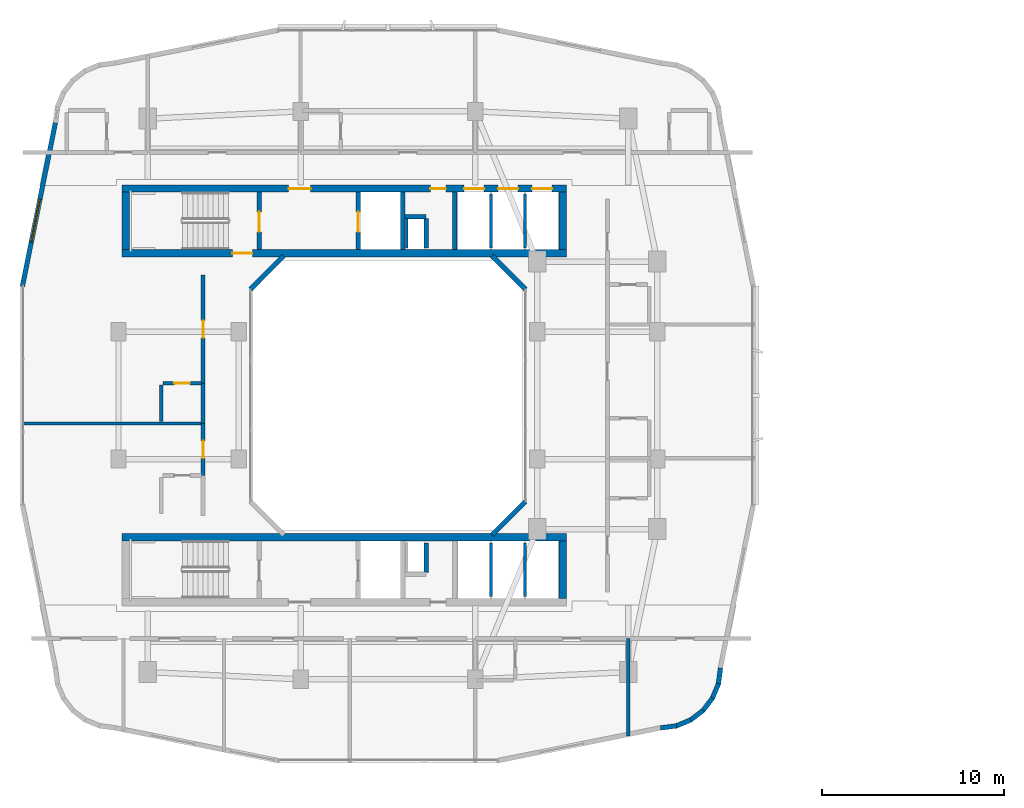
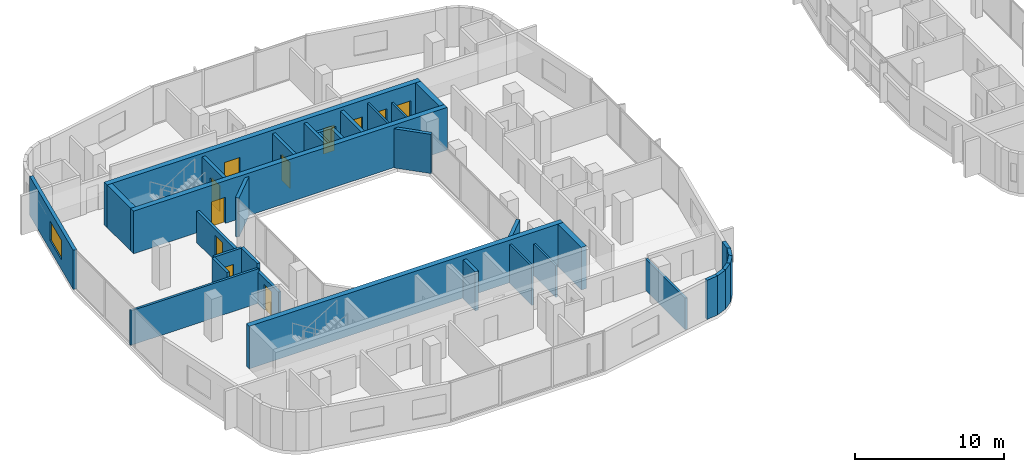
# One storey, part 13 of 26: 35 walls, 11 doors, 1 window, 12 openings.
"""IFC4 building model written with IfcOpenShell, lengths in metres."""

from ifc_helpers import new_model, si_unit, derived_unit, direction, frame, frame_2d, origin, place, context, subcontext, project, spatial, rectangle, extrude, material, layer, layer_set, type_object, element, fill, save


model = new_model("IFC4")

# Units and contexts
model_context = context("Model", 3, precision=1e-05, world=origin(), true_north=direction((0.0, 1.0)))
body_context = subcontext(model_context, "Body", "Model", "MODEL_VIEW")
ifc_project = project(units=[si_unit("LENGTHUNIT", "METRE"), si_unit("AREAUNIT", "SQUARE_METRE"), si_unit("VOLUMEUNIT", "CUBIC_METRE"), si_unit("PLANEANGLEUNIT", "RADIAN"), si_unit("MASSUNIT", "GRAM", prefix="KILO"), derived_unit("THERMALTRANSMITTANCEUNIT", [(si_unit("POWERUNIT", "WATT"), 1), (si_unit("LENGTHUNIT", "METRE"), -2), (si_unit("THERMODYNAMICTEMPERATUREUNIT", "KELVIN"), -1)])], contexts=[model_context])

# Site, building, storey
site_placement = place(None, origin())
site = spatial("IfcSite", under=ifc_project, at=site_placement, CompositionType="ELEMENT")
building_placement = place(site_placement, origin())
building = spatial("IfcBuilding", under=site, at=building_placement, Name="Kivonza Crest Hotel", CompositionType="ELEMENT")
storey_placement = place(building_placement, frame((0.0, 0.0, 109.0)))
storey = spatial("IfcBuildingStorey", under=building, at=storey_placement, Name="L29", CompositionType="ELEMENT", Elevation=109.0)

# Walls
ifc_material_1 = material(Name="High-density acoustic masonry inter-tenancy wall", Category="masonry")
ifc_layer_1 = layer(ifc_material_1, 0.179931640625)
ifc_layer_set_1 = layer_set([ifc_layer_1], Name="High-density acoustic masonry inter-tenancy wall")
wall_type_1 = type_object("IfcWallType", Name="WL-ACOU-180", PredefinedType="SOLIDWALL", material=ifc_layer_set_1)
wall_1_placement = place(storey_placement, frame((34.199951171875, 6.299072265625, 0.0), z_axis=(0.0, 0.0, 1.0), x_axis=(0.0, 1.0, 0.0)))
element("IfcWall", 1, at=wall_1_placement, inside=storey, type_object=wall_type_1, Name="L29 interior partition WA-L29-T1S-DIV3", PredefinedType="SOLIDWALL", context=body_context, shape_type="SweptSolid", body=[
    extrude(rectangle(XDim=5.350830078125, YDim=0.179931640625, at=frame_2d((2.67529296875, 0.0))), origin(), (0.0, 0.0, 1.0), 2.594970703125),
])
wall_2_placement = place(storey_placement, frame((0.860107421875, 23.4599609375, 0.0), z_axis=(0.0, 0.0, 1.0), x_axis=(1.0, 0.0, 0.0)))
element("IfcWall", 2, at=wall_2_placement, inside=storey, type_object=wall_type_1, Name="L29 interior partition WA-L29-T1W-DIV1", PredefinedType="SOLIDWALL", context=body_context, shape_type="SweptSolid", body=[
    extrude(rectangle(XDim=9.989990234375, YDim=0.179931640625, at=frame_2d((4.9951171875, 0.0))), origin(), (0.0, 0.0, 1.0), 2.8349609375),
])

# Wall, opening, door
ifc_material_2 = material(Name="Autoclaved aerated concrete blockwork", Category="masonry")
ifc_layer_2 = layer(ifc_material_2, 0.219970703125)
ifc_layer_set_2 = layer_set([ifc_layer_2], Name="Autoclaved aerated concrete blockwork")
wall_type_2 = type_object("IfcWallType", Name="WL-ACOU-220", PredefinedType="SOLIDWALL", material=ifc_layer_set_2)
wall_3_placement = place(storey_placement, frame((10.85009765625, 20.60009765625, 0.0), z_axis=(0.0, 0.0, 1.0), x_axis=(0.0, 1.0, 0.0)))
wall_3 = element("IfcWall", 3, at=wall_3_placement, inside=storey, type_object=wall_type_2, Name="L29 interior partition WA-L29-W05-MCORR", PredefinedType="SOLIDWALL", context=body_context, shape_type="SweptSolid", body=[
    extrude(rectangle(XDim=2.85986328125, YDim=0.219970703125, at=frame_2d((1.429931640625, 0.0))), origin(), (0.0, 0.0, 1.0), 2.594970703125),
])
opening_1_placement = place(wall_3_placement, frame((0.955078125, 0.0, 0.0)))
opening_1 = element("IfcOpeningElement", 4, at=opening_1_placement, cuts=wall_3, Name="Opening DU-60", PredefinedType="OPENING", context=body_context, shape_type="SweptSolid", body=[
    extrude(rectangle(XDim=0.949951171875, YDim=2.10009765625, at=frame_2d((0.47509765625, 1.050048828125))), frame((0.0, 0.1201171875, 0.0), z_axis=(0.0, -1.0, 0.0), x_axis=(1.0, 0.0, 0.0)), (0.0, 0.0, 1.0), 0.239990234375),
])
ifc_material_3 = material(Name="Hardwood timber oak", Category="wood")
door_type_1 = type_object("IfcDoorType", Name="DR-UNIT-950", OperationType="NOTDEFINED", PredefinedType="DOOR", material=ifc_material_3)
door_1_placement = place(opening_1_placement, origin())
door_1 = element("IfcDoor", 5, at=door_1_placement, inside=storey, type_object=door_type_1, Name="L29 W05 guest unit entrance fire door", OperationType="SINGLE_SWING_LEFT", OverallHeight=2.10009765625, OverallWidth=0.949951171875, PredefinedType="DOOR", context=body_context, shape_type="SweptSolid", body=[
    extrude(rectangle(XDim=0.949951171875, YDim=2.10009765625, at=frame_2d((0.47509765625, 1.050048828125))), frame((0.0, 0.02490234375, 0.0), z_axis=(0.0, -1.0, 0.0), x_axis=(1.0, 0.0, 0.0)), (0.0, 0.0, 1.0), 0.050048828125),
])
fill(opening_1, door_1)

# Wall
wall_4_placement = place(storey_placement, frame((10.85009765625, 23.4599609375, 0.0), z_axis=(0.0, 0.0, 1.0), x_axis=(0.0, 1.0, 0.0)))
element("IfcWall", 6, at=wall_4_placement, inside=storey, type_object=wall_type_2, Name="L29 interior partition WA-L29-W06-BCORR", PredefinedType="SOLIDWALL", context=body_context, shape_type="SweptSolid", body=[
    extrude(rectangle(XDim=2.199951171875, YDim=0.219970703125, at=frame_2d((1.10009765625, 0.0))), origin(), (0.0, 0.0, 1.0), 3.219970703125),
])

# Wall, opening, door
wall_5_placement = place(storey_placement, frame((10.85009765625, 25.659912109375, 0.0), z_axis=(0.0, 0.0, 1.0), x_axis=(0.0, 1.0, 0.0)))
wall_5 = element("IfcWall", 7, at=wall_5_placement, inside=storey, type_object=wall_type_2, Name="L29 interior partition WA-L29-W06-MCORR", PredefinedType="SOLIDWALL", context=body_context, shape_type="SweptSolid", body=[
    extrude(rectangle(XDim=5.940185546875, YDim=0.219970703125, at=frame_2d((2.97021484375, 0.0))), origin(), (0.0, 0.0, 1.0), 2.594970703125),
])
opening_2_placement = place(wall_5_placement, frame((2.4951171875, 0.0, 0.0)))
opening_2 = element("IfcOpeningElement", 8, at=opening_2_placement, cuts=wall_5, Name="Opening DU-60", PredefinedType="OPENING", context=body_context, shape_type="SweptSolid", body=[
    extrude(rectangle(XDim=0.949951171875, YDim=2.10009765625, at=frame_2d((0.47509765625, 1.050048828125))), frame((0.0, 0.1201171875, 0.0), z_axis=(0.0, -1.0, 0.0), x_axis=(1.0, 0.0, 0.0)), (0.0, 0.0, 1.0), 0.239990234375),
])
door_2_placement = place(opening_2_placement, origin())
door_2 = element("IfcDoor", 9, at=door_2_placement, inside=storey, type_object=door_type_1, Name="L29 W06 guest unit entrance fire door", OperationType="SINGLE_SWING_RIGHT", OverallHeight=2.10009765625, OverallWidth=0.949951171875, PredefinedType="DOOR", context=body_context, shape_type="SweptSolid", body=[
    extrude(rectangle(XDim=0.949951171875, YDim=2.10009765625, at=frame_2d((0.47509765625, 1.050048828125))), frame((0.0, 0.02490234375, 0.0), z_axis=(0.0, -1.0, 0.0), x_axis=(1.0, 0.0, 0.0)), (0.0, 0.0, 1.0), 0.050048828125),
])
fill(opening_2, door_2)

ifc_material_4 = material(Name="Concrete C50/60", Category="concrete")
ifc_layer_3 = layer(ifc_material_4, 0.39990234375)
ifc_layer_set_3 = layer_set([ifc_layer_3], Name="Concrete C50/60")
wall_type_3 = type_object("IfcWallType", Name="WL-CORE-400", PredefinedType="SHEAR", material=ifc_layer_set_3)
wall_6_placement = place(storey_placement, frame((6.39990234375, 32.800048828125, 0.0), z_axis=(0.0, 0.0, 1.0), x_axis=(1.0, 0.0, 0.0)))
wall_6 = element("IfcWall", 10, at=wall_6_placement, inside=storey, type_object=wall_type_3, Name="Core wall T1-N South L29", PredefinedType="SHEAR", context=body_context, shape_type="SweptSolid", body=[
    extrude(rectangle(XDim=24.400146484375, YDim=0.39990234375, at=frame_2d((12.2001953125, 0.0))), origin(), (0.0, 0.0, 1.0), 3.5),
])
opening_3_placement = place(wall_6_placement, frame((6.050048828125, 0.0, 0.0)))
opening_3 = element("IfcOpeningElement", 11, at=opening_3_placement, cuts=wall_6, Name="Opening DF-120", PredefinedType="OPENING", context=body_context, shape_type="SweptSolid", body=[
    extrude(rectangle(XDim=1.10009765625, YDim=2.14990234375, at=frame_2d((0.550048828125, 1.074951171875))), frame((0.0, 0.2099609375, 0.0), z_axis=(0.0, -1.0, 0.0), x_axis=(1.0, 0.0, 0.0)), (0.0, 0.0, 1.0), 0.419921875),
])
ifc_material_5 = material(Name="Galvanised steel", Category="steel")
door_type_2 = type_object("IfcDoorType", Name="DR-FD120-1100", OperationType="NOTDEFINED", PredefinedType="DOOR", material=ifc_material_5)
door_3_placement = place(opening_3_placement, origin())
door_3 = element("IfcDoor", 12, at=door_3_placement, inside=storey, type_object=door_type_2, Name="L29 West corridor stair access fire door", OperationType="SINGLE_SWING_LEFT", OverallHeight=2.14990234375, OverallWidth=1.10009765625, PredefinedType="DOOR", context=body_context, shape_type="SweptSolid", body=[
    extrude(rectangle(XDim=1.10009765625, YDim=2.14990234375, at=frame_2d((0.550048828125, 1.074951171875))), frame((0.0, 0.02490234375, 0.0), z_axis=(0.0, -1.0, 0.0), x_axis=(1.0, 0.0, 0.0)), (0.0, 0.0, 1.0), 0.050048828125),
])
fill(opening_3, door_3)

# Wall, openings, doors
wall_7_placement = place(storey_placement, frame((6.39990234375, 36.360107421875, 0.0), z_axis=(0.0, 0.0, 1.0), x_axis=(1.0, 0.0, 0.0)))
wall_7 = element("IfcWall", 13, at=wall_7_placement, inside=storey, type_object=wall_type_3, Name="Core wall T1-N North L29", PredefinedType="SHEAR", context=body_context, shape_type="SweptSolid", body=[
    extrude(rectangle(XDim=24.400146484375, YDim=0.39990234375, at=frame_2d((12.2001953125, 0.0))), origin(), (0.0, 0.0, 1.0), 3.5),
])
opening_4_placement = place(wall_7_placement, frame((9.14990234375, 0.0, 0.0)))
opening_4 = element("IfcOpeningElement", 14, at=opening_4_placement, cuts=wall_7, Name="Opening DF-60", PredefinedType="OPENING", context=body_context, shape_type="SweptSolid", body=[
    extrude(rectangle(XDim=1.199951171875, YDim=2.14990234375, at=frame_2d((0.60009765625, 1.074951171875))), frame((0.0, 0.2099609375, 0.0), z_axis=(0.0, -1.0, 0.0), x_axis=(1.0, 0.0, 0.0)), (0.0, 0.0, 1.0), 0.419921875),
])
opening_5_placement = place(wall_7_placement, frame((16.93994140625, 0.0, 0.0)))
opening_5 = element("IfcOpeningElement", 15, at=opening_5_placement, cuts=wall_7, Name="Opening DF-60R", PredefinedType="OPENING", context=body_context, shape_type="SweptSolid", body=[
    extrude(rectangle(XDim=0.85009765625, YDim=2.10009765625, at=frame_2d((0.425048828125, 1.050048828125))), frame((0.0, 0.2099609375, 0.0), z_axis=(0.0, -1.0, 0.0), x_axis=(1.0, 0.0, 0.0)), (0.0, 0.0, 1.0), 0.419921875),
])
opening_6_placement = place(wall_7_placement, frame((18.782958984375, 0.0, 0.0)))
opening_6 = element("IfcOpeningElement", 16, at=opening_6_placement, cuts=wall_7, Name="Opening LD-120", PredefinedType="OPENING", context=body_context, shape_type="SweptSolid", body=[
    extrude(rectangle(XDim=1.10009765625, YDim=2.14990234375, at=frame_2d((0.550048828125, 1.074951171875))), frame((0.0, 0.2099609375, 0.0), z_axis=(0.0, -1.0, 0.0), x_axis=(1.0, 0.0, 0.0)), (0.0, 0.0, 1.0), 0.419921875),
])
opening_7_placement = place(wall_7_placement, frame((20.64990234375, 0.0, 0.0)))
opening_7 = element("IfcOpeningElement", 17, at=opening_7_placement, cuts=wall_7, Name="Opening LD-120", PredefinedType="OPENING", context=body_context, shape_type="SweptSolid", body=[
    extrude(rectangle(XDim=1.10009765625, YDim=2.14990234375, at=frame_2d((0.550048828125, 1.074951171875))), frame((0.0, 0.2099609375, 0.0), z_axis=(0.0, -1.0, 0.0), x_axis=(1.0, 0.0, 0.0)), (0.0, 0.0, 1.0), 0.419921875),
])
opening_8_placement = place(wall_7_placement, frame((22.51708984375, 0.0, 0.0)))
opening_8 = element("IfcOpeningElement", 18, at=opening_8_placement, cuts=wall_7, Name="Opening LD-120", PredefinedType="OPENING", context=body_context, shape_type="SweptSolid", body=[
    extrude(rectangle(XDim=1.10009765625, YDim=2.14990234375, at=frame_2d((0.550048828125, 1.074951171875))), frame((0.0, 0.2099609375, 0.0), z_axis=(0.0, -1.0, 0.0), x_axis=(1.0, 0.0, 0.0)), (0.0, 0.0, 1.0), 0.419921875),
])
door_type_3 = type_object("IfcDoorType", Name="DR-FD60-1200", OperationType="NOTDEFINED", PredefinedType="DOOR", material=ifc_material_3)
door_4_placement = place(opening_4_placement, origin())
door_4 = element("IfcDoor", 19, at=door_4_placement, inside=storey, type_object=door_type_3, Name="L29 T1-N firefighting lobby fire door", OperationType="SINGLE_SWING_RIGHT", OverallHeight=2.14990234375, OverallWidth=1.199951171875, PredefinedType="DOOR", context=body_context, shape_type="SweptSolid", body=[
    extrude(rectangle(XDim=1.199951171875, YDim=2.14990234375, at=frame_2d((0.60009765625, 1.074951171875))), frame((0.0, 0.02490234375, 0.0), z_axis=(0.0, -1.0, 0.0), x_axis=(1.0, 0.0, 0.0)), (0.0, 0.0, 1.0), 0.050048828125),
])
fill(opening_4, door_4)
door_type_4 = type_object("IfcDoorType", Name="DR-FD60-850", OperationType="NOTDEFINED", PredefinedType="DOOR", material=ifc_material_3)
door_5_placement = place(opening_5_placement, origin())
door_5 = element("IfcDoor", 20, at=door_5_placement, inside=storey, type_object=door_type_4, Name="L29 T1-N core room door", OperationType="SINGLE_SWING_RIGHT", OverallHeight=2.10009765625, OverallWidth=0.85009765625, PredefinedType="DOOR", context=body_context, shape_type="SweptSolid", body=[
    extrude(rectangle(XDim=0.85009765625, YDim=2.10009765625, at=frame_2d((0.425048828125, 1.050048828125))), frame((0.0, 0.02490234375, 0.0), z_axis=(0.0, -1.0, 0.0), x_axis=(1.0, 0.0, 0.0)), (0.0, 0.0, 1.0), 0.050048828125),
])
fill(opening_5, door_5)
ifc_material_6 = material(Name="Stainless steel", Category="steel")
door_type_5 = type_object("IfcDoorType", Name="DR-LD120-1100", OperationType="NOTDEFINED", PredefinedType="DOOR", material=ifc_material_6)
door_6_placement = place(opening_6_placement, origin())
door_6 = element("IfcDoor", 21, at=door_6_placement, inside=storey, type_object=door_type_5, Name="L29 PL-T1-L1 passenger lift sliding landing door", OperationType="DOUBLE_DOOR_SLIDING", OverallHeight=2.14990234375, OverallWidth=1.10009765625, PredefinedType="DOOR", context=body_context, shape_type="SweptSolid", body=[
    extrude(rectangle(XDim=1.10009765625, YDim=2.14990234375, at=frame_2d((0.550048828125, 1.074951171875))), frame((0.0, 0.02490234375, 0.0), z_axis=(0.0, -1.0, 0.0), x_axis=(1.0, 0.0, 0.0)), (0.0, 0.0, 1.0), 0.050048828125),
])
fill(opening_6, door_6)
door_7_placement = place(opening_7_placement, origin())
door_7 = element("IfcDoor", 22, at=door_7_placement, inside=storey, type_object=door_type_5, Name="L29 PL-T1-L2 passenger lift sliding landing door", OperationType="DOUBLE_DOOR_SLIDING", OverallHeight=2.14990234375, OverallWidth=1.10009765625, PredefinedType="DOOR", context=body_context, shape_type="SweptSolid", body=[
    extrude(rectangle(XDim=1.10009765625, YDim=2.14990234375, at=frame_2d((0.550048828125, 1.074951171875))), frame((0.0, 0.02490234375, 0.0), z_axis=(0.0, -1.0, 0.0), x_axis=(1.0, 0.0, 0.0)), (0.0, 0.0, 1.0), 0.050048828125),
])
fill(opening_7, door_7)
door_8_placement = place(opening_8_placement, origin())
door_8 = element("IfcDoor", 23, at=door_8_placement, inside=storey, type_object=door_type_5, Name="L29 PL-T1-L3 passenger lift sliding landing door", OperationType="DOUBLE_DOOR_SLIDING", OverallHeight=2.14990234375, OverallWidth=1.10009765625, PredefinedType="DOOR", context=body_context, shape_type="SweptSolid", body=[
    extrude(rectangle(XDim=1.10009765625, YDim=2.14990234375, at=frame_2d((0.550048828125, 1.074951171875))), frame((0.0, 0.02490234375, 0.0), z_axis=(0.0, -1.0, 0.0), x_axis=(1.0, 0.0, 0.0)), (0.0, 0.0, 1.0), 0.050048828125),
])
fill(opening_8, door_8)

# Walls
for number, where, z_axis, x_axis, name in (
    (24, (6.60009765625, 33.0, 0.0), (0.0, 0.0, 1.0), (0.0, 1.0, 0.0), "Core wall T1-N West L29"),
    (25, (30.60009765625, 33.0, 0.0), (0.0, 0.0, 1.0), (0.0, 1.0, 0.0), "Core wall T1-N East L29"),
):
    element("IfcWall", number, at=place(storey_placement, frame(where, z_axis=z_axis, x_axis=x_axis)), inside=storey, type_object=wall_type_3, Name=name, PredefinedType="SHEAR", context=body_context, shape_type="SweptSolid", body=[
        extrude(rectangle(XDim=3.159912109375, YDim=0.39990234375, at=frame_2d((1.580078125, 0.0))), origin(), (0.0, 0.0, 1.0), 3.5),
    ])
wall_8_placement = place(storey_placement, frame((6.39990234375, 17.199951171875, 0.0), z_axis=(0.0, 0.0, 1.0), x_axis=(1.0, 0.0, 0.0)))
element("IfcWall", 26, at=wall_8_placement, inside=storey, type_object=wall_type_3, Name="Core wall T1-S North L29", PredefinedType="SHEAR", context=body_context, shape_type="SweptSolid", body=[
    extrude(rectangle(XDim=24.400146484375, YDim=0.39990234375, at=frame_2d((12.2001953125, 0.0))), origin(), (0.0, 0.0, 1.0), 3.5),
])
wall_9_placement = place(storey_placement, frame((30.60009765625, 13.840087890625, 0.0), z_axis=(0.0, 0.0, 1.0), x_axis=(0.0, 1.0, 0.0)))
element("IfcWall", 27, at=wall_9_placement, inside=storey, type_object=wall_type_3, Name="Core wall T1-S East L29", PredefinedType="SHEAR", context=body_context, shape_type="SweptSolid", body=[
    extrude(rectangle(XDim=3.159912109375, YDim=0.39990234375, at=frame_2d((1.580078125, 0.0))), origin(), (0.0, 0.0, 1.0), 3.5),
])
ifc_material_7 = material(Name="Precast concrete C40/50", Category="concrete")
ifc_layer_4 = layer(ifc_material_7, 0.260009765625)
ifc_layer_set_4 = layer_set([ifc_layer_4], Name="Precast concrete C40/50")
wall_type_4 = type_object("IfcWallType", Name="WL-EXT-260", PredefinedType="STANDARD", material=ifc_layer_set_4)
wall_10_placement = place(storey_placement, frame((35.97509765625, 6.72802734375, 0.0), z_axis=(0.0, 0.0, 1.0), x_axis=(0.991388484223, 0.130953706898, 0.0)))
element("IfcWall", 28, at=wall_10_placement, inside=storey, type_object=wall_type_4, Name="L29 T1 exterior insulated wall 10", PredefinedType="STANDARD", context=body_context, shape_type="SweptSolid", body=[
    extrude(rectangle(XDim=0.885498046875, YDim=0.260009765625, at=frame_2d((0.44287109375, 0.0))), origin(), (0.0, 0.0, 1.0), 3.219970703125),
])
wall_11_placement = place(storey_placement, frame((36.806884765625, 6.825927734375, 0.0), z_axis=(0.0, 0.0, 1.0), x_axis=(0.923627776508, 0.383290660547, 0.0)))
element("IfcWall", 29, at=wall_11_placement, inside=storey, type_object=wall_type_4, Name="L29 T1 exterior insulated wall 11", PredefinedType="STANDARD", context=body_context, shape_type="SweptSolid", body=[
    extrude(rectangle(XDim=0.9033203125, YDim=0.260009765625, at=frame_2d((0.45166015625, 0.0))), origin(), (0.0, 0.0, 1.0), 3.219970703125),
])
wall_12_placement = place(storey_placement, frame((37.60107421875, 7.14404296875, 0.0), z_axis=(0.0, 0.0, 1.0), x_axis=(0.793458244748, 0.608624690463, 0.0)))
element("IfcWall", 30, at=wall_12_placement, inside=storey, type_object=wall_type_4, Name="L29 T1 exterior insulated wall 12", PredefinedType="STANDARD", context=body_context, shape_type="SweptSolid", body=[
    extrude(rectangle(XDim=0.902099609375, YDim=0.260009765625, at=frame_2d((0.451171875, 0.0))), origin(), (0.0, 0.0, 1.0), 3.219970703125),
])
wall_13_placement = place(storey_placement, frame((38.285888671875, 7.655029296875, 0.0), z_axis=(0.0, 0.0, 1.0), x_axis=(0.608494022858, 0.793558456666, 0.0)))
element("IfcWall", 31, at=wall_13_placement, inside=storey, type_object=wall_type_4, Name="L29 T1 exterior insulated wall 13", PredefinedType="STANDARD", context=body_context, shape_type="SweptSolid", body=[
    extrude(rectangle(XDim=0.90234375, YDim=0.260009765625, at=frame_2d((0.451171875, 0.0))), origin(), (0.0, 0.0, 1.0), 3.219970703125),
])
wall_14_placement = place(storey_placement, frame((38.81396484375, 8.326904296875, 0.0), z_axis=(0.0, 0.0, 1.0), x_axis=(0.383155708213, 0.923683767999, 0.0)))
element("IfcWall", 32, at=wall_14_placement, inside=storey, type_object=wall_type_4, Name="L29 T1 exterior insulated wall 14", PredefinedType="STANDARD", context=body_context, shape_type="SweptSolid", body=[
    extrude(rectangle(XDim=0.90283203125, YDim=0.260009765625, at=frame_2d((0.451416015625, 0.0))), origin(), (0.0, 0.0, 1.0), 3.219970703125),
])
wall_15_placement = place(storey_placement, frame((39.152099609375, 9.112060546875, 0.0), z_axis=(0.0, 0.0, 1.0), x_axis=(0.130200706103, 0.991487658083, 0.0)))
element("IfcWall", 33, at=wall_15_placement, inside=storey, type_object=wall_type_4, Name="L29 T1 exterior insulated wall 15", PredefinedType="STANDARD", context=body_context, shape_type="SweptSolid", body=[
    extrude(rectangle(XDim=0.920654296875, YDim=0.260009765625, at=frame_2d((0.46044921875, 0.0))), origin(), (0.0, 0.0, 1.0), 3.219970703125),
])

# Wall, opening, window
wall_16_placement = place(storey_placement, frame((2.72900390625, 39.98193359375, 0.0), z_axis=(0.0, 0.0, 1.0), x_axis=(-0.197435082048, -0.980315963543, 0.0)))
wall_16 = element("IfcWall", 34, at=wall_16_placement, inside=storey, type_object=wall_type_4, Name="L29 T1 exterior insulated wall 34", PredefinedType="STANDARD", context=body_context, shape_type="SweptSolid", body=[
    extrude(rectangle(XDim=9.1826171875, YDim=0.260009765625, at=frame_2d((4.59130859375, 0.0))), origin(), (0.0, 0.0, 1.0), 3.219970703125),
])
opening_9_placement = place(wall_16_placement, frame((4.285888671875, 0.0, 0.800048828125)))
opening_9 = element("IfcOpeningElement", 35, at=opening_9_placement, cuts=wall_16, Name="Opening WN-05", PredefinedType="OPENING", context=body_context, shape_type="SweptSolid", body=[
    extrude(rectangle(XDim=2.39990234375, YDim=1.60009765625, at=frame_2d((1.199951171875, 0.800048828125))), frame((0.0, 0.14013671875, 0.0), z_axis=(0.0, -1.0, 0.0), x_axis=(1.0, 0.0, 0.0)), (0.0, 0.0, 1.0), 0.280029296875),
])
ifc_material_8 = material(Name="Thermally broken bronze aluminium and low-E double glazing", Category="aluminium")
window_type = type_object("IfcWindowType", Name="WN-240x160", PartitioningType="TRIPLE_PANEL_VERTICAL", PredefinedType="WINDOW", material=ifc_material_8)
window_placement = place(opening_9_placement, origin())
window = element("IfcWindow", 36, at=window_placement, inside=storey, type_object=window_type, Name="L29 T1 facade window 34", OverallHeight=1.60009765625, OverallWidth=2.39990234375, PartitioningType="SINGLE_PANEL", PredefinedType="WINDOW", context=body_context, shape_type="SweptSolid", body=[
    extrude(rectangle(XDim=2.39990234375, YDim=1.60009765625, at=frame_2d((1.199951171875, 0.800048828125))), frame((0.0, 0.030029296875, 0.0), z_axis=(0.0, -1.0, 0.0), x_axis=(1.0, 0.0, 0.0)), (0.0, 0.0, 1.0), 0.06005859375),
])
fill(opening_9, window)

# Walls
for number, where, z_axis, x_axis, name in (
    (37, (26.721923828125, 17.337890625, 0.0), (0.0, 0.0, 1.0), (0.707059717605, 0.707153841636, 0.0), "L29 T1 light-well exterior wall 2"),
    (38, (28.555908203125, 30.827880859375, 0.0), (0.0, 0.0, 1.0), (-0.707059717605, 0.707153841636, 0.0), "L29 T1 light-well exterior wall 4"),
    (39, (15.278076171875, 32.662109375, 0.0), (0.0, 0.0, 1.0), (-0.707059717605, -0.707153841636, 0.0), "L29 T1 light-well exterior wall 6"),
):
    element("IfcWall", number, at=place(storey_placement, frame(where, z_axis=z_axis, x_axis=x_axis)), inside=storey, type_object=wall_type_4, Name=name, PredefinedType="STANDARD", context=body_context, shape_type="SweptSolid", body=[
        extrude(rectangle(XDim=2.59375, YDim=0.260009765625, at=frame_2d((1.296875, 0.0))), origin(), (0.0, 0.0, 1.0), 3.219970703125),
    ])
ifc_material_9 = material(Name="Concrete blockwork fire-compartment wall", Category="masonry")
ifc_layer_5 = layer(ifc_material_9, 0.25)
ifc_layer_set_5 = layer_set([ifc_layer_5], Name="Concrete blockwork fire-compartment wall")
wall_type_5 = type_object("IfcWallType", Name="WL-FIRE-250", PredefinedType="SOLIDWALL", material=ifc_layer_set_5)
wall_17_placement = place(storey_placement, frame((23.10009765625, 33.10009765625, 0.0), z_axis=(0.0, 0.0, 1.0), x_axis=(0.0, 1.0, 0.0)))
element("IfcWall", 40, at=wall_17_placement, inside=storey, type_object=wall_type_5, Name="L29 interior partition WA-L29-T1-N-MEPR-E", PredefinedType="SOLIDWALL", context=body_context, shape_type="SweptSolid", body=[
    extrude(rectangle(XDim=1.619873046875, YDim=0.25, at=frame_2d((0.81005859375, 0.0))), origin(), (0.0, 0.0, 1.0), 3.219970703125),
])
wall_18_placement = place(storey_placement, frame((21.949951171875, 34.820068359375, 0.0), z_axis=(0.0, 0.0, 1.0), x_axis=(1.0, 0.0, 0.0)))
element("IfcWall", 41, at=wall_18_placement, inside=storey, type_object=wall_type_5, Name="L29 interior partition WA-L29-T1-N-MEPR-H", PredefinedType="SOLIDWALL", context=body_context, shape_type="SweptSolid", body=[
    extrude(rectangle(XDim=1.150146484375, YDim=0.25, at=frame_2d((0.5751953125, 0.0))), origin(), (0.0, 0.0, 1.0), 3.219970703125),
])
wall_19_placement = place(storey_placement, frame((23.10009765625, 15.280029296875, 0.0), z_axis=(0.0, 0.0, 1.0), x_axis=(0.0, 1.0, 0.0)))
element("IfcWall", 42, at=wall_19_placement, inside=storey, type_object=wall_type_5, Name="L29 interior partition WA-L29-T1-S-MEPR-E", PredefinedType="SOLIDWALL", context=body_context, shape_type="SweptSolid", body=[
    extrude(rectangle(XDim=1.619873046875, YDim=0.25, at=frame_2d((0.81005859375, 0.0))), origin(), (0.0, 0.0, 1.0), 3.219970703125),
])
ifc_material_10 = material(Name="Twin-stud acoustic gypsum board partition", Category="gypsum")
ifc_layer_6 = layer(ifc_material_10, 0.14990234375)
ifc_layer_set_6 = layer_set([ifc_layer_6], Name="Twin-stud acoustic gypsum board partition")
wall_type_6 = type_object("IfcWallType", Name="WL-PART-150", PredefinedType="PARTITIONING", material=ifc_layer_set_6)
wall_20_placement = place(storey_placement, frame((22.030029296875, 33.10009765625, 0.0), z_axis=(0.0, 0.0, 1.0), x_axis=(0.0, 1.0, 0.0)))
element("IfcWall", 43, at=wall_20_placement, inside=storey, type_object=wall_type_6, Name="L29 interior partition WA-L29-T1-N-MEPR-W", PredefinedType="PARTITIONING", context=body_context, shape_type="SweptSolid", body=[
    extrude(rectangle(XDim=1.619873046875, YDim=0.14990234375, at=frame_2d((0.81005859375, 0.0))), origin(), (0.0, 0.0, 1.0), 3.219970703125),
])
wall_21_placement = place(storey_placement, frame((26.6669921875, 33.10009765625, 0.0), z_axis=(0.0, 0.0, 1.0), x_axis=(0.0, 1.0, 0.0)))
element("IfcWall", 44, at=wall_21_placement, inside=storey, type_object=wall_type_6, Name="L29 interior partition WP-L29-T1-N-BSH-1", PredefinedType="PARTITIONING", context=body_context, shape_type="SweptSolid", body=[
    extrude(rectangle(XDim=2.9599609375, YDim=0.14990234375, at=frame_2d((1.47998046875, 0.0))), origin(), (0.0, 0.0, 1.0), 3.219970703125),
])
wall_22_placement = place(storey_placement, frame((28.532958984375, 33.10009765625, 0.0), z_axis=(0.0, 0.0, 1.0), x_axis=(0.0, 1.0, 0.0)))
element("IfcWall", 45, at=wall_22_placement, inside=storey, type_object=wall_type_6, Name="L29 interior partition WP-L29-T1-N-BSH-2", PredefinedType="PARTITIONING", context=body_context, shape_type="SweptSolid", body=[
    extrude(rectangle(XDim=2.9599609375, YDim=0.14990234375, at=frame_2d((1.47998046875, 0.0))), origin(), (0.0, 0.0, 1.0), 2.594970703125),
])
wall_23_placement = place(storey_placement, frame((26.6669921875, 13.93994140625, 0.0), z_axis=(0.0, 0.0, 1.0), x_axis=(0.0, 1.0, 0.0)))
element("IfcWall", 46, at=wall_23_placement, inside=storey, type_object=wall_type_6, Name="L29 interior partition WP-L29-T1-S-BSH-1", PredefinedType="PARTITIONING", context=body_context, shape_type="SweptSolid", body=[
    extrude(rectangle(XDim=2.9599609375, YDim=0.14990234375, at=frame_2d((1.47998046875, 0.0))), origin(), (0.0, 0.0, 1.0), 3.219970703125),
])
wall_24_placement = place(storey_placement, frame((28.532958984375, 13.93994140625, 0.0), z_axis=(0.0, 0.0, 1.0), x_axis=(0.0, 1.0, 0.0)))
element("IfcWall", 47, at=wall_24_placement, inside=storey, type_object=wall_type_6, Name="L29 interior partition WP-L29-T1-S-BSH-2", PredefinedType="PARTITIONING", context=body_context, shape_type="SweptSolid", body=[
    extrude(rectangle(XDim=2.9599609375, YDim=0.14990234375, at=frame_2d((1.47998046875, 0.0))), origin(), (0.0, 0.0, 1.0), 2.594970703125),
])

# Wall, opening, door
ifc_material_11 = material(Name="Moisture-resistant plumbing chase partition wall", Category="gypsum")
ifc_layer_7 = layer(ifc_material_11, 0.199951171875)
ifc_layer_set_7 = layer_set([ifc_layer_7], Name="Moisture-resistant plumbing chase partition wall")
wall_type_7 = type_object("IfcWallType", Name="WL-PLUMB-200", PredefinedType="PLUMBINGWALL", material=ifc_layer_set_7)
wall_25_placement = place(storey_placement, frame((8.64990234375, 25.659912109375, 0.0), z_axis=(0.0, 0.0, 1.0), x_axis=(1.0, 0.0, 0.0)))
wall_25 = element("IfcWall", 48, at=wall_25_placement, inside=storey, type_object=wall_type_7, Name="L29 interior partition WW-L29-W06-BH", PredefinedType="PLUMBINGWALL", context=body_context, shape_type="SweptSolid", body=[
    extrude(rectangle(XDim=2.10009765625, YDim=0.199951171875, at=frame_2d((1.050048828125, 0.0))), origin(), (0.0, 0.0, 1.0), 3.219970703125),
])
opening_10_placement = place(wall_25_placement, frame((0.625, 0.0, 0.0)))
opening_10 = element("IfcOpeningElement", 49, at=opening_10_placement, cuts=wall_25, Name="Opening DI-85", PredefinedType="OPENING", context=body_context, shape_type="SweptSolid", body=[
    extrude(rectangle(XDim=0.85009765625, YDim=2.10009765625, at=frame_2d((0.425048828125, 1.050048828125))), frame((0.0, 0.10986328125, 0.0), z_axis=(0.0, -1.0, 0.0), x_axis=(1.0, 0.0, 0.0)), (0.0, 0.0, 1.0), 0.219970703125),
])
door_type_6 = type_object("IfcDoorType", Name="DR-INT-850", OperationType="NOTDEFINED", PredefinedType="DOOR", material=ifc_material_3)
door_9_placement = place(opening_10_placement, origin())
door_9 = element("IfcDoor", 50, at=door_9_placement, inside=storey, type_object=door_type_6, Name="L29 W06 en-suite bathroom door", OperationType="SINGLE_SWING_LEFT", OverallHeight=2.10009765625, OverallWidth=0.85009765625, PredefinedType="DOOR", context=body_context, shape_type="SweptSolid", body=[
    extrude(rectangle(XDim=0.85009765625, YDim=2.10009765625, at=frame_2d((0.425048828125, 1.050048828125))), frame((0.0, 0.02490234375, 0.0), z_axis=(0.0, -1.0, 0.0), x_axis=(1.0, 0.0, 0.0)), (0.0, 0.0, 1.0), 0.050048828125),
])
fill(opening_10, door_9)

# Wall
wall_26_placement = place(storey_placement, frame((8.550048828125, 23.56005859375, 0.0), z_axis=(0.0, 0.0, 1.0), x_axis=(0.0, 1.0, 0.0)))
element("IfcWall", 51, at=wall_26_placement, inside=storey, type_object=wall_type_7, Name="L29 interior partition WW-L29-W06-BV", PredefinedType="PLUMBINGWALL", context=body_context, shape_type="SweptSolid", body=[
    extrude(rectangle(XDim=2.0, YDim=0.199951171875, at=frame_2d((1.0, 0.0))), origin(), (0.0, 0.0, 1.0), 3.219970703125),
])

# Wall, opening, door
ifc_layer_8 = layer(ifc_material_4, 0.25)
ifc_layer_set_8 = layer_set([ifc_layer_8], Name="Concrete C50/60")
wall_type_8 = type_object("IfcWallType", Name="WL-SHAFT-250", PredefinedType="STANDARD", material=ifc_layer_set_8)
wall_27_placement = place(storey_placement, frame((13.925048828125, 33.0, 0.0), z_axis=(0.0, 0.0, 1.0), x_axis=(0.0, 1.0, 0.0)))
wall_27 = element("IfcWall", 52, at=wall_27_placement, inside=storey, type_object=wall_type_8, Name="Core shaft wall T1-N STAIR L29", PredefinedType="STANDARD", context=body_context, shape_type="SweptSolid", body=[
    extrude(rectangle(XDim=3.159912109375, YDim=0.25, at=frame_2d((1.580078125, 0.0))), origin(), (0.0, 0.0, 1.0), 3.219970703125),
])
opening_11_placement = place(wall_27_placement, frame((0.97998046875, 0.0, 0.0)))
opening_11 = element("IfcOpeningElement", 53, at=opening_11_placement, cuts=wall_27, Name="Opening DF-120", PredefinedType="OPENING", context=body_context, shape_type="SweptSolid", body=[
    extrude(rectangle(XDim=1.10009765625, YDim=2.14990234375, at=frame_2d((0.550048828125, 1.074951171875))), frame((0.0, 0.135009765625, 0.0), z_axis=(0.0, -1.0, 0.0), x_axis=(1.0, 0.0, 0.0)), (0.0, 0.0, 1.0), 0.27001953125),
])
door_10_placement = place(opening_11_placement, frame((1.10009765625, 0.0, 0.0), z_axis=(0.0, 0.0, 1.0), x_axis=(-1.0, 0.0, 0.0)))
door_10 = element("IfcDoor", 54, at=door_10_placement, inside=storey, type_object=door_type_2, Name="L29 T1-N stair fire door", OperationType="SINGLE_SWING_LEFT", OverallHeight=2.14990234375, OverallWidth=1.10009765625, PredefinedType="DOOR", context=body_context, shape_type="SweptSolid", body=[
    extrude(rectangle(XDim=1.10009765625, YDim=2.14990234375, at=frame_2d((0.550048828125, 1.074951171875))), frame((0.0, 0.02490234375, 0.0), z_axis=(0.0, -1.0, 0.0), x_axis=(1.0, 0.0, 0.0)), (0.0, 0.0, 1.0), 0.050048828125),
])
fill(opening_11, door_10)

wall_28_placement = place(storey_placement, frame((19.375, 33.0, 0.0), z_axis=(0.0, 0.0, 1.0), x_axis=(0.0, 1.0, 0.0)))
wall_28 = element("IfcWall", 55, at=wall_28_placement, inside=storey, type_object=wall_type_8, Name="Core shaft wall T1-N FFL-W L29", PredefinedType="STANDARD", context=body_context, shape_type="SweptSolid", body=[
    extrude(rectangle(XDim=3.159912109375, YDim=0.25, at=frame_2d((1.580078125, 0.0))), origin(), (0.0, 0.0, 1.0), 3.219970703125),
])
opening_12_placement = place(wall_28_placement, frame((0.97998046875, 0.0, 0.0)))
opening_12 = element("IfcOpeningElement", 56, at=opening_12_placement, cuts=wall_28, Name="Opening LD-120", PredefinedType="OPENING", context=body_context, shape_type="SweptSolid", body=[
    extrude(rectangle(XDim=1.10009765625, YDim=2.14990234375, at=frame_2d((0.550048828125, 1.074951171875))), frame((0.0, 0.135009765625, 0.0), z_axis=(0.0, -1.0, 0.0), x_axis=(1.0, 0.0, 0.0)), (0.0, 0.0, 1.0), 0.27001953125),
])
door_11_placement = place(opening_12_placement, origin())
door_11 = element("IfcDoor", 57, at=door_11_placement, inside=storey, type_object=door_type_5, Name="L29 FFL-T1-N firefighting lift sliding landing door", OperationType="DOUBLE_DOOR_SLIDING", OverallHeight=2.14990234375, OverallWidth=1.10009765625, PredefinedType="DOOR", context=body_context, shape_type="SweptSolid", body=[
    extrude(rectangle(XDim=1.10009765625, YDim=2.14990234375, at=frame_2d((0.550048828125, 1.074951171875))), frame((0.0, 0.02490234375, 0.0), z_axis=(0.0, -1.0, 0.0), x_axis=(1.0, 0.0, 0.0)), (0.0, 0.0, 1.0), 0.050048828125),
])
fill(opening_12, door_11)

# Walls
for number, where, z_axis, x_axis, name in (
    (58, (21.824951171875, 33.0, 0.0), (0.0, 0.0, 1.0), (0.0, 1.0, 0.0), "Core shaft wall T1-N FFL-E L29"),
    (59, (24.675048828125, 33.0, 0.0), (0.0, 0.0, 1.0), (0.0, 1.0, 0.0), "Core shaft wall T1-N BANK-W L29"),
):
    element("IfcWall", number, at=place(storey_placement, frame(where, z_axis=z_axis, x_axis=x_axis)), inside=storey, type_object=wall_type_8, Name=name, PredefinedType="STANDARD", context=body_context, shape_type="SweptSolid", body=[
        extrude(rectangle(XDim=3.159912109375, YDim=0.25, at=frame_2d((1.580078125, 0.0))), origin(), (0.0, 0.0, 1.0), 3.219970703125),
    ])

save(model, "model.ifc")
